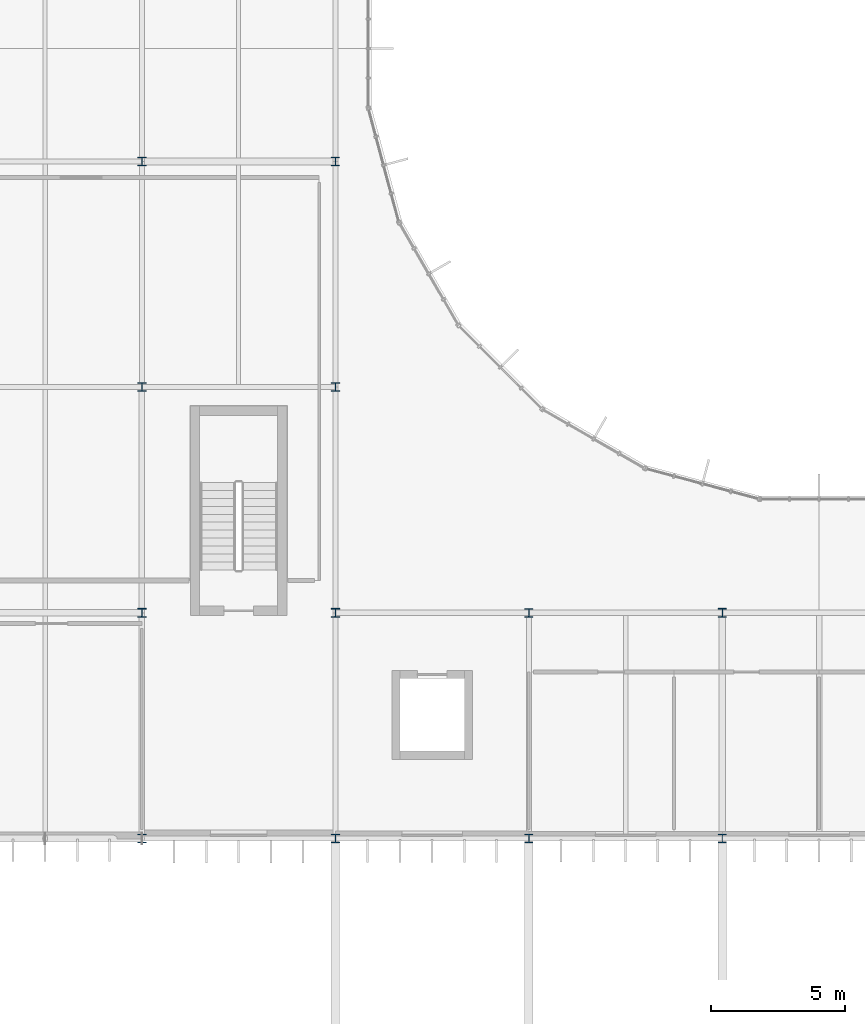
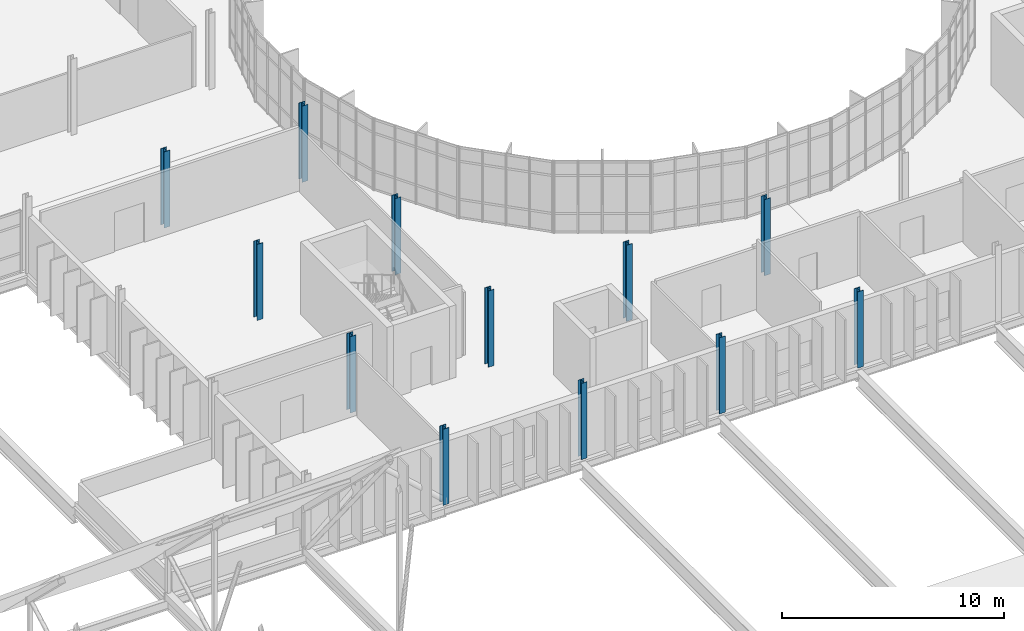
# One storey, part 5 of 99: 12 columns.
"""IFC4 building model written with IfcOpenShell, lengths in metres."""

from ifc_helpers import new_model, si_unit, direction, frame, origin, origin_2d, place, context, subcontext, project, spatial, i_section, extrude, material, material_profile, profile_set, type_object, element, save


model = new_model("IFC4")

# Units and contexts
model_context = context("Model", 3, precision=1e-05, world=origin(), true_north=direction((0.0, 1.0)))
body_context = subcontext(model_context, "Body", "Model", "MODEL_VIEW")
ifc_project = project(units=[si_unit("LENGTHUNIT", "METRE"), si_unit("AREAUNIT", "SQUARE_METRE"), si_unit("VOLUMEUNIT", "CUBIC_METRE"), si_unit("PLANEANGLEUNIT", "RADIAN"), si_unit("MASSUNIT", "GRAM", prefix="KILO")], contexts=[model_context])

# Site, building, storey
site_placement = place(None, origin())
site = spatial("IfcSite", under=ifc_project, at=site_placement, CompositionType="ELEMENT")
building_placement = place(site_placement, origin())
building = spatial("IfcBuilding", under=site, at=building_placement, Name="Qelthora Terrace Specialist Clinic", CompositionType="ELEMENT")
storey_placement = place(building_placement, frame((0.0, 0.0, 9.0)))
storey = spatial("IfcBuildingStorey", under=building, at=storey_placement, Name="L02", CompositionType="ELEMENT", Elevation=9.0)

# Columns
ifc_material = material(Name="Steel S355", Category="steel")
ifc_material_profile_1 = material_profile(ifc_material, i_section(OverallWidth=0.306884765625, OverallDepth=0.31396484375, WebThickness=0.011962890625, FlangeThickness=0.018798828125, FilletRadius=0.01611328125, at=origin_2d()), Name="W310X118")
ifc_profile_set_1 = profile_set([ifc_material_profile_1], Name="Steel S355")
column_type_1 = type_object("IfcColumnType", Name="COL-W310X118", PredefinedType="COLUMN", material=ifc_profile_set_1)
column_1_placement = place(storey_placement, frame((100.800048828125, 58.800048828125, 0.0), z_axis=(0.0, 0.0, 1.0), x_axis=(1.0, 0.0, 0.0)))
element("IfcColumn", 1, at=column_1_placement, inside=storey, type_object=column_type_1, Name="Column L02-168", PredefinedType="COLUMN", context=body_context, shape_type="SweptSolid", body=[
    extrude(i_section(OverallWidth=0.306884765625, OverallDepth=0.31396484375, WebThickness=0.011962890625, FlangeThickness=0.018798828125, FilletRadius=0.01611328125, at=origin_2d()), origin(), (0.0, 0.0, 1.0), 4.199951171875),
])
ifc_material_profile_2 = material_profile(ifc_material, i_section(OverallWidth=0.30810546875, OverallDepth=0.318115234375, WebThickness=0.01318359375, FlangeThickness=0.0205078125, FilletRadius=0.01611328125, at=origin_2d()), Name="W310X129")
ifc_profile_set_2 = profile_set([ifc_material_profile_2], Name="Steel S355")
column_type_2 = type_object("IfcColumnType", Name="COL-W310X129", PredefinedType="COLUMN", material=ifc_profile_set_2)
for number, where, z_axis, x_axis, name in (
    (2, (100.800048828125, 33.60009765625, 0.0), (0.0, 0.0, 1.0), (1.0, 0.0, 0.0), "Column L02-165"),
    (3, (100.800048828125, 50.39990234375, 0.0), (0.0, 0.0, 1.0), (1.0, 0.0, 0.0), "Column L02-167"),
    (4, (108.0, 33.60009765625, 0.0), (0.0, 0.0, 1.0), (1.0, 0.0, 0.0), "Column L02-179"),
    (5, (108.0, 50.39990234375, 0.0), (0.0, 0.0, 1.0), (1.0, 0.0, 0.0), "Column L02-181"),
    (6, (115.199951171875, 42.0, 0.0), (0.0, 0.0, 1.0), (1.0, 0.0, 0.0), "Column L02-193"),
    (7, (122.39990234375, 33.60009765625, 0.0), (0.0, 0.0, 1.0), (1.0, 0.0, 0.0), "Column L02-201"),
):
    element("IfcColumn", number, at=place(storey_placement, frame(where, z_axis=z_axis, x_axis=x_axis)), inside=storey, type_object=column_type_2, Name=name, PredefinedType="COLUMN", context=body_context, shape_type="SweptSolid", body=[
        extrude(i_section(OverallWidth=0.30810546875, OverallDepth=0.318115234375, WebThickness=0.01318359375, FlangeThickness=0.0205078125, FilletRadius=0.01611328125, at=origin_2d()), origin(), (0.0, 0.0, 1.0), 4.199951171875),
    ])
ifc_material_profile_3 = material_profile(ifc_material, i_section(OverallWidth=0.30908203125, OverallDepth=0.322998046875, WebThickness=0.013916015625, FlangeThickness=0.02294921875, FilletRadius=0.01611328125, at=origin_2d()), Name="W310X143")
ifc_profile_set_3 = profile_set([ifc_material_profile_3], Name="Steel S355")
column_type_3 = type_object("IfcColumnType", Name="COL-W310X143", PredefinedType="COLUMN", material=ifc_profile_set_3)
for number, where, z_axis, x_axis, name in (
    (8, (100.800048828125, 42.0, 0.0), (0.0, 0.0, 1.0), (1.0, 0.0, 0.0), "Column L02-166"),
    (9, (108.0, 42.0, 0.0), (0.0, 0.0, 1.0), (1.0, 0.0, 0.0), "Column L02-180"),
    (10, (115.199951171875, 33.60009765625, 0.0), (0.0, 0.0, 1.0), (1.0, 0.0, 0.0), "Column L02-192"),
    (11, (122.39990234375, 42.0, 0.0), (0.0, 0.0, 1.0), (1.0, 0.0, 0.0), "Column L02-202"),
):
    element("IfcColumn", number, at=place(storey_placement, frame(where, z_axis=z_axis, x_axis=x_axis)), inside=storey, type_object=column_type_3, Name=name, PredefinedType="COLUMN", context=body_context, shape_type="SweptSolid", body=[
        extrude(i_section(OverallWidth=0.30908203125, OverallDepth=0.322998046875, WebThickness=0.013916015625, FlangeThickness=0.02294921875, FilletRadius=0.01611328125, at=origin_2d()), origin(), (0.0, 0.0, 1.0), 4.199951171875),
    ])
ifc_material_profile_4 = material_profile(ifc_material, i_section(OverallWidth=0.304931640625, OverallDepth=0.30810546875, WebThickness=0.010009765625, FlangeThickness=0.015380859375, FilletRadius=0.014892578125, at=origin_2d()), Name="W310X97")
ifc_profile_set_4 = profile_set([ifc_material_profile_4], Name="Steel S355")
column_type_4 = type_object("IfcColumnType", Name="COL-W310X97", PredefinedType="COLUMN", material=ifc_profile_set_4)
column_2_placement = place(storey_placement, frame((108.0, 58.800048828125, 0.0), z_axis=(0.0, 0.0, 1.0), x_axis=(1.0, 0.0, 0.0)))
element("IfcColumn", 12, at=column_2_placement, inside=storey, type_object=column_type_4, Name="Column L02-182", PredefinedType="COLUMN", context=body_context, shape_type="SweptSolid", body=[
    extrude(i_section(OverallWidth=0.304931640625, OverallDepth=0.30810546875, WebThickness=0.010009765625, FlangeThickness=0.015380859375, FilletRadius=0.014892578125, at=origin_2d()), origin(), (0.0, 0.0, 1.0), 4.199951171875),
])

save(model, "model.ifc")
